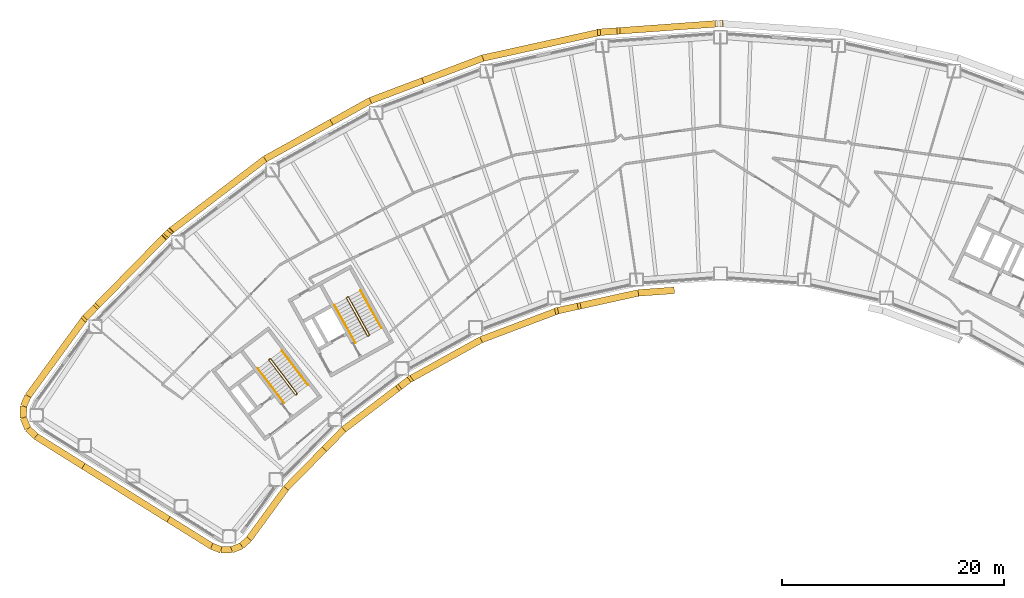
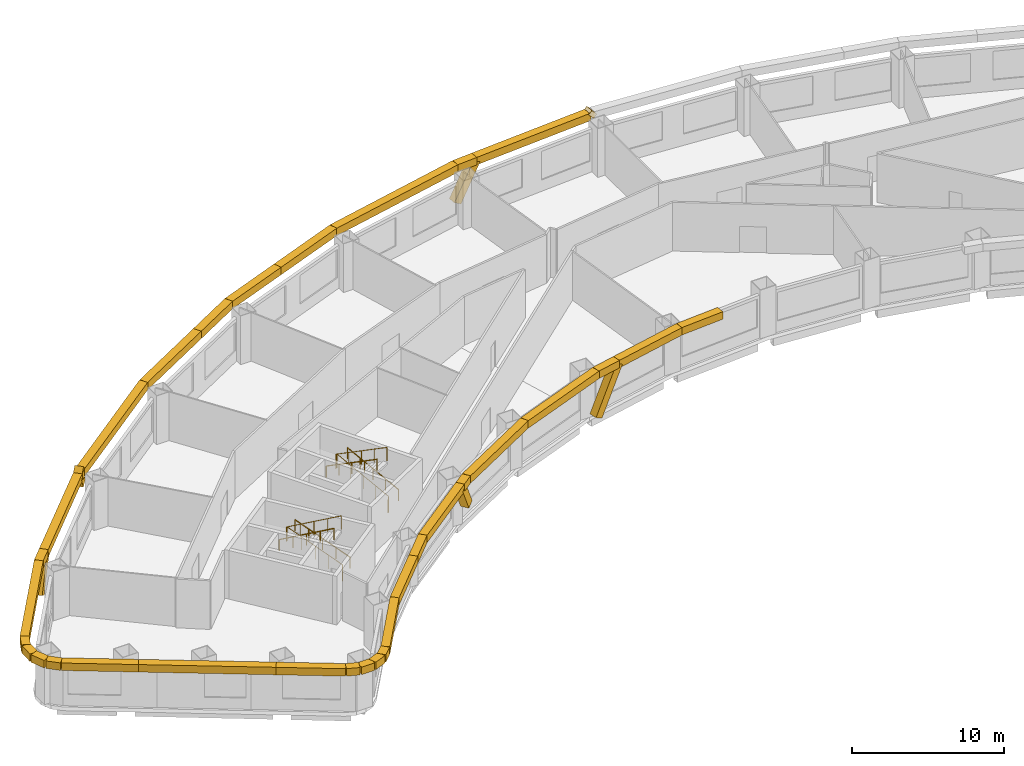
# One storey, part 9 of 10: 40 coverings, 6 railings.
"""IFC4 building model written with IfcOpenShell, lengths in metres."""

from ifc_helpers import new_model, si_unit, direction, frame, origin, origin_2d, place, context, subcontext, project, spatial, rectangle, circle, extrude, material, material_profile, profile_set, type_object, element, save


model = new_model("IFC4")

# Units and contexts
model_context = context("Model", 3, precision=1e-05, world=origin(), true_north=direction((0.0, 1.0)))
body_context = subcontext(model_context, "Body", "Model", "MODEL_VIEW")
ifc_project = project(units=[si_unit("LENGTHUNIT", "METRE"), si_unit("AREAUNIT", "SQUARE_METRE"), si_unit("VOLUMEUNIT", "CUBIC_METRE"), si_unit("PLANEANGLEUNIT", "RADIAN"), si_unit("MASSUNIT", "GRAM", prefix="KILO")], contexts=[model_context])

# Site, building, storey
site_placement = place(None, origin())
site = spatial("IfcSite", under=ifc_project, at=site_placement, CompositionType="ELEMENT")
building_placement = place(site_placement, origin())
building = spatial("IfcBuilding", under=site, at=building_placement, Name="Tuul Gate Civic Tower", CompositionType="ELEMENT")
storey_placement = place(building_placement, frame((0.0, 0.0, 86.39990234375)))
storey = spatial("IfcBuildingStorey", under=building, at=storey_placement, Name="Level 19", CompositionType="ELEMENT", Elevation=86.39990234375)

# Railings
ifc_material_1 = material(Name="Painted steel", Category="steel")
railing_type_1 = type_object("IfcRailingType", Name="Stair guard", PredefinedType="GUARDRAIL", material=ifc_material_1)
railing_1_placement = place(storey_placement, frame((-33.382080078125, -13.515380859375, 0.0)))
element("IfcRailing", 1, at=railing_1_placement, inside=storey, type_object=railing_type_1, Name="Level 19 ST-1 stair guard 1", PredefinedType="GUARDRAIL", context=body_context, shape_type="SweptSolid", body=[
    extrude(circle(Radius=0.02392578125, at=origin_2d()), frame((0.0, 0.0, 1.076171875), z_axis=(-0.795879841968, -0.605454603706, 0.0), x_axis=(0.605454603706, -0.795879841968, 0.0)), (0.0, 0.0, 1.0), 0.10009765625),
    extrude(circle(Radius=0.02392578125, at=origin_2d()), frame((-0.07958984375, -0.060546875, 1.076171875), z_axis=(0.408676696321, 0.599019267211, 0.688592241747), x_axis=(-0.826063974707, 0.563576356576, 0.0)), (0.0, 0.0, 1.0), 0.218017578125),
    extrude(circle(Radius=0.02392578125, at=origin_2d()), frame((0.009521484375, 0.070068359375, 1.22607421875), z_axis=(-0.541824460341, 0.711645023348, 0.447199748346), x_axis=(-0.795637165283, -0.60577347352, 0.0)), (0.0, 0.0, 1.0), 4.3603515625),
    extrude(circle(Radius=0.02392578125, at=origin_2d()), frame((-2.35302734375, 3.173095703125, 3.17626953125), z_axis=(-0.990893089246, 0.134650977284, 0.0), x_axis=(-0.134650977284, -0.990893089246, 0.0)), (0.0, 0.0, 1.0), 0.07080078125),
    extrude(circle(Radius=0.02392578125, at=origin_2d()), frame((-2.423095703125, 3.1826171875, 3.17626953125), z_axis=(-0.793802879778, -0.60817512943, 0.0), x_axis=(0.60817512943, -0.793802879778, 0.0)), (0.0, 0.0, 1.0), 0.099853515625),
    extrude(circle(Radius=0.02392578125, at=origin_2d()), frame((-2.50244140625, 3.121826171875, 3.17626953125), z_axis=(-0.057447065493, -0.422751481959, 0.904423031091), x_axis=(0.990893089246, -0.134650977284, 0.0)), (0.0, 0.0, 1.0), 0.165771484375),
    extrude(circle(Radius=0.02392578125, at=origin_2d()), frame((-2.511962890625, 3.0517578125, 3.326171875), z_axis=(0.541792925989, -0.711621155064, 0.447275929392), x_axis=(0.795644365679, 0.605764016233, 0.0)), (0.0, 0.0, 1.0), 4.360107421875),
    extrude(circle(Radius=0.02099609375, at=origin_2d()), origin(), (0.0, 0.0, 1.0), 1.052001953125),
    extrude(circle(Radius=0.02099609375, at=origin_2d()), frame((-0.07958984375, -0.060546875, 0.0)), (0.0, 0.0, 1.0), 1.052001953125),
    extrude(circle(Radius=0.02099609375, at=origin_2d()), frame((0.009521484375, 0.070068359375, 0.150146484375)), (0.0, 0.0, 1.0), 1.052001953125),
    extrude(circle(Radius=0.02099609375, at=origin_2d()), frame((-0.5810546875, 0.845703125, 0.6376953125)), (0.0, 0.0, 1.0), 1.052001953125),
    extrude(circle(Radius=0.02099609375, at=origin_2d()), frame((-1.171875, 1.62158203125, 1.125)), (0.0, 0.0, 1.0), 1.052001953125),
    extrude(circle(Radius=0.02099609375, at=origin_2d()), frame((-1.762451171875, 2.3974609375, 1.612548828125)), (0.0, 0.0, 1.0), 1.052001953125),
    extrude(circle(Radius=0.02099609375, at=origin_2d()), frame((-2.35302734375, 3.173095703125, 2.10009765625)), (0.0, 0.0, 1.0), 1.052001953125),
    extrude(circle(Radius=0.02099609375, at=origin_2d()), frame((-2.423095703125, 3.1826171875, 2.10009765625)), (0.0, 0.0, 1.0), 1.052001953125),
    extrude(circle(Radius=0.02099609375, at=origin_2d()), frame((-2.50244140625, 3.121826171875, 2.10009765625)), (0.0, 0.0, 1.0), 1.052001953125),
    extrude(circle(Radius=0.02099609375, at=origin_2d()), frame((-2.511962890625, 3.0517578125, 2.25)), (0.0, 0.0, 1.0), 1.052001953125),
    extrude(circle(Radius=0.02099609375, at=origin_2d()), frame((-1.92138671875, 2.276123046875, 2.737548828125)), (0.0, 0.0, 1.0), 1.052001953125),
    extrude(circle(Radius=0.02099609375, at=origin_2d()), frame((-1.330810546875, 1.50048828125, 3.22509765625)), (0.0, 0.0, 1.0), 1.052001953125),
    extrude(circle(Radius=0.02099609375, at=origin_2d()), frame((-0.740234375, 0.724609375, 3.712646484375)), (0.0, 0.0, 1.0), 1.052001953125),
    extrude(circle(Radius=0.02099609375, at=origin_2d()), frame((-0.149658203125, -0.051025390625, 4.2001953125)), (0.0, 0.0, 1.0), 1.052001953125),
])
railing_2_placement = place(storey_placement, frame((-26.857666015625, -8.247314453125, 0.0)))
element("IfcRailing", 2, at=railing_2_placement, inside=storey, type_object=railing_type_1, Name="Level 19 ST-2 stair guard 1", PredefinedType="GUARDRAIL", context=body_context, shape_type="SweptSolid", body=[
    extrude(circle(Radius=0.02392578125, at=origin_2d()), frame((0.0, 0.0, 1.076171875), z_axis=(-0.874616555828, -0.48481530532, 0.0), x_axis=(0.48481530532, -0.874616555828, 0.0)), (0.0, 0.0, 1.0), 0.10009765625),
    extrude(circle(Radius=0.02392578125, at=origin_2d()), frame((-0.087646484375, -0.048583984375, 1.076171875), z_axis=(0.490435707169, 0.534104639999, 0.688625479244), x_axis=(-0.736576986774, 0.676353711126, 0.0)), (0.0, 0.0, 1.0), 0.218017578125),
    extrude(circle(Radius=0.02392578125, at=origin_2d()), frame((0.019287109375, 0.06787109375, 1.22607421875), z_axis=(-0.43354991378, 0.782327185242, 0.447212083348), x_axis=(-0.874667644053, -0.484723129681, 0.0)), (0.0, 0.0, 1.0), 4.3603515625),
    extrude(circle(Radius=0.02392578125, at=origin_2d()), frame((-1.87109375, 3.47900390625, 3.17626953125), z_axis=(-0.961263487578, 0.275631107549, 0.0), x_axis=(-0.275631107549, -0.961263487578, 0.0)), (0.0, 0.0, 1.0), 0.07080078125),
    extrude(circle(Radius=0.02392578125, at=origin_2d()), frame((-1.939208984375, 3.49853515625, 3.17626953125), z_axis=(-0.874042088414, -0.485850211157, 0.0), x_axis=(0.485850211157, -0.874042088414, 0.0)), (0.0, 0.0, 1.0), 0.10009765625),
    extrude(circle(Radius=0.02392578125, at=origin_2d()), frame((-2.026611328125, 3.449951171875, 3.17626953125), z_axis=(-0.117866478395, -0.409586012422, 0.90462522168), x_axis=(0.961000426733, -0.276546885391, 0.0)), (0.0, 0.0, 1.0), 0.165771484375),
    extrude(circle(Radius=0.02392578125, at=origin_2d()), frame((-2.046142578125, 3.382080078125, 3.326171875), z_axis=(0.433584522764, -0.782288604346, 0.447246018574), x_axis=(0.874641102302, 0.484771020343, 0.0)), (0.0, 0.0, 1.0), 4.3603515625),
    extrude(circle(Radius=0.02099609375, at=origin_2d()), origin(), (0.0, 0.0, 1.0), 1.052001953125),
    extrude(circle(Radius=0.02099609375, at=origin_2d()), frame((-0.087646484375, -0.048583984375, 0.0)), (0.0, 0.0, 1.0), 1.052001953125),
    extrude(circle(Radius=0.02099609375, at=origin_2d()), frame((0.019287109375, 0.06787109375, 0.150146484375)), (0.0, 0.0, 1.0), 1.052001953125),
    extrude(circle(Radius=0.02099609375, at=origin_2d()), frame((-0.453369140625, 0.920654296875, 0.6376953125)), (0.0, 0.0, 1.0), 1.052001953125),
    extrude(circle(Radius=0.02099609375, at=origin_2d()), frame((-0.92578125, 1.7734375, 1.125)), (0.0, 0.0, 1.0), 1.052001953125),
    extrude(circle(Radius=0.02099609375, at=origin_2d()), frame((-1.3984375, 2.626220703125, 1.612548828125)), (0.0, 0.0, 1.0), 1.052001953125),
    extrude(circle(Radius=0.02099609375, at=origin_2d()), frame((-1.87109375, 3.47900390625, 2.10009765625)), (0.0, 0.0, 1.0), 1.052001953125),
    extrude(circle(Radius=0.02099609375, at=origin_2d()), frame((-1.939208984375, 3.49853515625, 2.10009765625)), (0.0, 0.0, 1.0), 1.052001953125),
    extrude(circle(Radius=0.02099609375, at=origin_2d()), frame((-2.026611328125, 3.449951171875, 2.10009765625)), (0.0, 0.0, 1.0), 1.052001953125),
    extrude(circle(Radius=0.02099609375, at=origin_2d()), frame((-2.046142578125, 3.382080078125, 2.25)), (0.0, 0.0, 1.0), 1.052001953125),
    extrude(circle(Radius=0.02099609375, at=origin_2d()), frame((-1.573486328125, 2.529296875, 2.737548828125)), (0.0, 0.0, 1.0), 1.052001953125),
    extrude(circle(Radius=0.02099609375, at=origin_2d()), frame((-1.100830078125, 1.676513671875, 3.22509765625)), (0.0, 0.0, 1.0), 1.052001953125),
    extrude(circle(Radius=0.02099609375, at=origin_2d()), frame((-0.628173828125, 0.82373046875, 3.712646484375)), (0.0, 0.0, 1.0), 1.052001953125),
    extrude(circle(Radius=0.02099609375, at=origin_2d()), frame((-0.155517578125, -0.029052734375, 4.2001953125)), (0.0, 0.0, 1.0), 1.052001953125),
])
ifc_material_2 = material(Name="Painted steel", Category="steel")
railing_type_2 = type_object("IfcRailingType", Name="Stair handrail", PredefinedType="HANDRAIL", material=ifc_material_2)
railing_3_placement = place(storey_placement, frame((-32.3779296875, -12.688232421875, 0.150146484375)))
element("IfcRailing", 3, at=railing_3_placement, inside=storey, type_object=railing_type_2, Name="Level 19 ST-1 stair handrail 1", PredefinedType="HANDRAIL", context=body_context, shape_type="SweptSolid", body=[
    extrude(circle(Radius=0.02392578125, at=origin_2d()), frame((0.0, 0.0, 0.8759765625), z_axis=(-0.541824460341, 0.711645023348, 0.447199748346), x_axis=(-0.795637165283, -0.60577347352, 0.0)), (0.0, 0.0, 1.0), 4.3603515625),
    extrude(circle(Radius=0.02099609375, at=origin_2d()), origin(), (0.0, 0.0, 1.0), 0.851806640625),
    extrude(circle(Radius=0.02099609375, at=origin_2d()), frame((-0.590576171875, 0.77587890625, 0.487548828125)), (0.0, 0.0, 1.0), 0.851806640625),
    extrude(circle(Radius=0.02099609375, at=origin_2d()), frame((-1.18115234375, 1.551513671875, 0.97509765625)), (0.0, 0.0, 1.0), 0.851806640625),
    extrude(circle(Radius=0.02099609375, at=origin_2d()), frame((-1.77197265625, 2.3271484375, 1.46240234375)), (0.0, 0.0, 1.0), 0.851806640625),
    extrude(circle(Radius=0.02099609375, at=origin_2d()), frame((-2.362548828125, 3.10302734375, 1.949951171875)), (0.0, 0.0, 1.0), 0.851806640625),
])
railing_4_placement = place(storey_placement, frame((-36.888671875, -11.220703125, 2.25)))
element("IfcRailing", 4, at=railing_4_placement, inside=storey, type_object=railing_type_2, Name="Level 19 ST-1 stair handrail 2", PredefinedType="HANDRAIL", context=body_context, shape_type="SweptSolid", body=[
    extrude(circle(Radius=0.02392578125, at=origin_2d()), frame((0.0, 0.0, 0.8759765625), z_axis=(0.541810893183, -0.711627203922, 0.44724454012), x_axis=(0.795637165283, 0.60577347352, 0.0)), (0.0, 0.0, 1.0), 4.3603515625),
    extrude(circle(Radius=0.02099609375, at=origin_2d()), origin(), (0.0, 0.0, 1.0), 0.851806640625),
    extrude(circle(Radius=0.02099609375, at=origin_2d()), frame((0.590576171875, -0.77587890625, 0.487548828125)), (0.0, 0.0, 1.0), 0.851806640625),
    extrude(circle(Radius=0.02099609375, at=origin_2d()), frame((1.18115234375, -1.551513671875, 0.97509765625)), (0.0, 0.0, 1.0), 0.851806640625),
    extrude(circle(Radius=0.02099609375, at=origin_2d()), frame((1.77197265625, -2.3271484375, 1.462646484375)), (0.0, 0.0, 1.0), 0.851806640625),
    extrude(circle(Radius=0.02099609375, at=origin_2d()), frame((2.362548828125, -3.10302734375, 1.9501953125)), (0.0, 0.0, 1.0), 0.851806640625),
])
railing_5_placement = place(storey_placement, frame((-25.744873046875, -7.573486328125, 0.150146484375)))
element("IfcRailing", 5, at=railing_5_placement, inside=storey, type_object=railing_type_2, Name="Level 19 ST-2 stair handrail 1", PredefinedType="HANDRAIL", context=body_context, shape_type="SweptSolid", body=[
    extrude(circle(Radius=0.02392578125, at=origin_2d()), frame((0.0, 0.0, 0.8759765625), z_axis=(-0.433595379963, 0.782308193291, 0.447201226726), x_axis=(-0.874641102302, -0.484771020343, 0.0)), (0.0, 0.0, 1.0), 4.3603515625),
    extrude(circle(Radius=0.02099609375, at=origin_2d()), origin(), (0.0, 0.0, 1.0), 0.851806640625),
    extrude(circle(Radius=0.02099609375, at=origin_2d()), frame((-0.47265625, 0.852783203125, 0.487548828125)), (0.0, 0.0, 1.0), 0.851806640625),
    extrude(circle(Radius=0.02099609375, at=origin_2d()), frame((-0.9453125, 1.70556640625, 0.97509765625)), (0.0, 0.0, 1.0), 0.851806640625),
    extrude(circle(Radius=0.02099609375, at=origin_2d()), frame((-1.41796875, 2.558349609375, 1.46240234375)), (0.0, 0.0, 1.0), 0.851806640625),
    extrude(circle(Radius=0.02099609375, at=origin_2d()), frame((-1.890625, 3.4111328125, 1.949951171875)), (0.0, 0.0, 1.0), 0.851806640625),
])
railing_6_placement = place(storey_placement, frame((-29.9970703125, -5.47119140625, 2.25)))
element("IfcRailing", 6, at=railing_6_placement, inside=storey, type_object=railing_type_2, Name="Level 19 ST-2 stair handrail 2", PredefinedType="HANDRAIL", context=body_context, shape_type="SweptSolid", body=[
    extrude(circle(Radius=0.02392578125, at=origin_2d()), frame((0.0, 0.0, 0.8759765625), z_axis=(0.433584522764, -0.782288604346, 0.447246018574), x_axis=(0.874641102302, 0.484771020343, 0.0)), (0.0, 0.0, 1.0), 4.3603515625),
    extrude(circle(Radius=0.02099609375, at=origin_2d()), origin(), (0.0, 0.0, 1.0), 0.851806640625),
    extrude(circle(Radius=0.02099609375, at=origin_2d()), frame((0.47265625, -0.852783203125, 0.487548828125)), (0.0, 0.0, 1.0), 0.851806640625),
    extrude(circle(Radius=0.02099609375, at=origin_2d()), frame((0.9453125, -1.70556640625, 0.97509765625)), (0.0, 0.0, 1.0), 0.851806640625),
    extrude(circle(Radius=0.02099609375, at=origin_2d()), frame((1.41796875, -2.558349609375, 1.462646484375)), (0.0, 0.0, 1.0), 0.851806640625),
    extrude(circle(Radius=0.02099609375, at=origin_2d()), frame((1.890625, -3.4111328125, 1.9501953125)), (0.0, 0.0, 1.0), 0.851806640625),
])

# Coverings
ifc_material_3 = material(Name="Terracotta baguette", Category="masonry")
ifc_material_profile = material_profile(ifc_material_3, rectangle(XDim=0.60009765625, YDim=0.60009765625, at=origin_2d()), Name="Terracotta baguette screen frame")
ifc_profile_set = profile_set([ifc_material_profile], Name="Terracotta baguette")
covering_type = type_object("IfcCoveringType", Name="Terracotta baguette screen frame", PredefinedType="CLADDING", material=ifc_profile_set)
covering_1_placement = place(storey_placement, frame((4.80810546875, 19.909912109375, 4.098876953125), z_axis=(-0.731966492967, -0.052664255869, -0.679302237098), x_axis=(0.071763490411, -0.997421676847, 0.0)))
element("IfcCovering", 7, at=covering_1_placement, inside=storey, type_object=covering_type, Name="Baguette 72", PredefinedType="CLADDING", context=body_context, shape_type="SweptSolid", body=[
    extrude(rectangle(XDim=0.60009765625, YDim=0.60009765625, at=origin_2d()), origin(), (0.0, 0.0, 1.0), 0.3662109375),
])
covering_2_placement = place(storey_placement, frame((4.5400390625, 19.890625, 3.85009765625), z_axis=(-0.997386201486, -0.072254862018, 0.0), x_axis=(0.072254862018, -0.997386201486, 0.0)))
element("IfcCovering", 8, at=covering_2_placement, inside=storey, type_object=covering_type, Name="Baguette 78", PredefinedType="CLADDING", context=body_context, shape_type="SweptSolid", body=[
    extrude(rectangle(XDim=0.60009765625, YDim=0.60009765625, at=origin_2d()), origin(), (0.0, 0.0, 1.0), 9.072265625),
])
covering_3_placement = place(storey_placement, frame((-4.508544921875, 19.235107421875, 3.85009765625), z_axis=(-0.473945050115, -0.034270345712, -0.879887284188), x_axis=(0.072120393401, -0.997395933848, 0.0)))
element("IfcCovering", 9, at=covering_3_placement, inside=storey, type_object=covering_type, Name="Baguette 83", PredefinedType="CLADDING", context=body_context, shape_type="SweptSolid", body=[
    extrude(rectangle(XDim=0.60009765625, YDim=0.60009765625, at=origin_2d()), origin(), (0.0, 0.0, 1.0), 3.17724609375),
])
covering_4_placement = place(storey_placement, frame((-22.021240234375, 14.744873046875, 3.85009765625), z_axis=(-0.935347444676, -0.353730346081, 0.0), x_axis=(0.353730346081, -0.935347444676, 0.0)))
element("IfcCovering", 10, at=covering_4_placement, inside=storey, type_object=covering_type, Name="Baguette 99", PredefinedType="CLADDING", context=body_context, shape_type="SweptSolid", body=[
    extrude(rectangle(XDim=0.60009765625, YDim=0.60009765625, at=origin_2d()), origin(), (0.0, 0.0, 1.0), 5.0673828125),
])
covering_5_placement = place(storey_placement, frame((-26.760986328125, 12.952392578125, 3.85009765625), z_axis=(-0.874625555633, -0.484799069135, 0.0), x_axis=(0.484799069135, -0.874625555633, 0.0)))
element("IfcCovering", 11, at=covering_5_placement, inside=storey, type_object=covering_type, Name="Baguette 100", PredefinedType="CLADDING", context=body_context, shape_type="SweptSolid", body=[
    extrude(rectangle(XDim=0.60009765625, YDim=0.60009765625, at=origin_2d()), origin(), (0.0, 0.0, 1.0), 4.005126953125),
])
covering_6_placement = place(storey_placement, frame((-44.885498046875, 1.117919921875, 4.263916015625), z_axis=(-0.513729128194, -0.524147971668, -0.679228449523), x_axis=(0.714169166593, -0.699973143404, 0.0)))
element("IfcCovering", 12, at=covering_6_placement, inside=storey, type_object=covering_type, Name="Baguette 114", PredefinedType="CLADDING", context=body_context, shape_type="SweptSolid", body=[
    extrude(rectangle(XDim=0.60009765625, YDim=0.60009765625, at=origin_2d()), origin(), (0.0, 0.0, 1.0), 0.609130859375),
])
covering_7_placement = place(storey_placement, frame((-45.198486328125, 0.798583984375, 3.85009765625), z_axis=(0.332717894742, 0.339465683559, -0.879807849592), x_axis=(-0.714169166593, 0.699973143404, 0.0)))
element("IfcCovering", 13, at=covering_7_placement, inside=storey, type_object=covering_type, Name="Baguette 118", PredefinedType="CLADDING", context=body_context, shape_type="SweptSolid", body=[
    extrude(rectangle(XDim=0.60009765625, YDim=0.60009765625, at=origin_2d()), origin(), (0.0, 0.0, 1.0), 0.940673828125),
])
covering_8_placement = place(storey_placement, frame((-45.198486328125, 0.798583984375, 3.85009765625), z_axis=(-0.700048272114, -0.714095523519, 0.0), x_axis=(0.714095523519, -0.700048272114, 0.0)))
element("IfcCovering", 14, at=covering_8_placement, inside=storey, type_object=covering_type, Name="Baguette 120", PredefinedType="CLADDING", context=body_context, shape_type="SweptSolid", body=[
    extrude(rectangle(XDim=0.60009765625, YDim=0.60009765625, at=origin_2d()), origin(), (0.0, 0.0, 1.0), 9.072265625),
])
covering_9_placement = place(storey_placement, frame((-51.549560546875, -5.679931640625, 3.85009765625), z_axis=(-0.332644596819, -0.339353248982, -0.879878937475), x_axis=(0.714130345586, -0.700012749537, 0.0)))
element("IfcCovering", 15, at=covering_9_placement, inside=storey, type_object=covering_type, Name="Baguette 125", PredefinedType="CLADDING", context=body_context, shape_type="SweptSolid", body=[
    extrude(rectangle(XDim=0.60009765625, YDim=0.60009765625, at=origin_2d()), origin(), (0.0, 0.0, 1.0), 2.80224609375),
])
covering_10_placement = place(storey_placement, frame((-52.63720703125, -20.0029296875, 3.85009765625), z_axis=(0.848043753002, -0.529926214669, 0.0), x_axis=(0.529926214669, 0.848043753002, 0.0)))
element("IfcCovering", 16, at=covering_10_placement, inside=storey, type_object=covering_type, Name="Baguette 152", PredefinedType="CLADDING", context=body_context, shape_type="SweptSolid", body=[
    extrude(rectangle(XDim=0.60009765625, YDim=0.60009765625, at=origin_2d()), origin(), (0.0, 0.0, 1.0), 9.052978515625),
])
covering_11_placement = place(storey_placement, frame((-30.899658203125, -18.470703125, 3.85009765625), z_axis=(0.700087148809, 0.714057409507, 0.0), x_axis=(-0.714057409507, 0.700087148809, 0.0)))
element("IfcCovering", 17, at=covering_11_placement, inside=storey, type_object=covering_type, Name="Baguette 184", PredefinedType="CLADDING", context=body_context, shape_type="SweptSolid", body=[
    extrude(rectangle(XDim=0.60009765625, YDim=0.60009765625, at=origin_2d()), origin(), (0.0, 0.0, 1.0), 2.4814453125),
])
covering_12_placement = place(storey_placement, frame((-29.162353515625, -16.69873046875, 3.85009765625), z_axis=(0.795586533253, 0.605839969057, 0.0), x_axis=(-0.605839969057, 0.795586533253, 0.0)))
element("IfcCovering", 18, at=covering_12_placement, inside=storey, type_object=covering_type, Name="Baguette 185", PredefinedType="CLADDING", context=body_context, shape_type="SweptSolid", body=[
    extrude(rectangle(XDim=0.60009765625, YDim=0.60009765625, at=origin_2d()), origin(), (0.0, 0.0, 1.0), 6.370361328125),
])
covering_13_placement = place(storey_placement, frame((-24.09423828125, -12.83935546875, 3.85009765625), z_axis=(0.370809590506, 0.282480203725, -0.884706268822), x_axis=(-0.605987035724, 0.795474520356, 0.0)))
element("IfcCovering", 19, at=covering_13_placement, inside=storey, type_object=covering_type, Name="Baguette 190", PredefinedType="CLADDING", context=body_context, shape_type="SweptSolid", body=[
    extrude(rectangle(XDim=0.60009765625, YDim=0.60009765625, at=origin_2d()), origin(), (0.0, 0.0, 1.0), 2.2470703125),
])
covering_14_placement = place(storey_placement, frame((-8.056884765625, -5.593017578125, 3.85009765625), z_axis=(-0.45518264051, -0.100276466883, -0.884733515793), x_axis=(0.215140673353, -0.976583069006, 0.0)))
element("IfcCovering", 20, at=covering_14_placement, inside=storey, type_object=covering_type, Name="Baguette 208", PredefinedType="CLADDING", context=body_context, shape_type="SweptSolid", body=[
    extrude(rectangle(XDim=0.60009765625, YDim=0.60009765625, at=origin_2d()), origin(), (0.0, 0.0, 1.0), 3.9052734375),
])
covering_15_placement = place(storey_placement, frame((-8.056884765625, -5.593017578125, 3.85009765625), z_axis=(0.976560188543, 0.215244507836, 0.0), x_axis=(-0.215244507836, 0.976560188543, 0.0)))
element("IfcCovering", 21, at=covering_15_placement, inside=storey, type_object=covering_type, Name="Baguette 210", PredefinedType="CLADDING", context=body_context, shape_type="SweptSolid", body=[
    extrude(rectangle(XDim=0.60009765625, YDim=0.60009765625, at=origin_2d()), origin(), (0.0, 0.0, 1.0), 5.597412109375),
])
covering_16_placement = place(storey_placement, frame((-2.590576171875, -4.38818359375, 3.85009765625), z_axis=(0.997381973981, 0.072313193661, 0.0), x_axis=(-0.072313193661, 0.997381973981, 0.0)))
element("IfcCovering", 22, at=covering_16_placement, inside=storey, type_object=covering_type, Name="Baguette 211", PredefinedType="CLADDING", context=body_context, shape_type="SweptSolid", body=[
    extrude(rectangle(XDim=0.60009765625, YDim=0.60009765625, at=origin_2d()), origin(), (0.0, 0.0, 1.0), 3.254638671875),
])
covering_17_placement = place(storey_placement, frame((-4.508544921875, 19.235107421875, 3.85009765625), z_axis=(-0.997395933848, -0.072120393401, 0.0), x_axis=(0.072120393401, -0.997395933848, 0.0)))
element("IfcCovering", 23, at=covering_17_placement, inside=storey, type_object=covering_type, Name="Baguette 302", PredefinedType="CLADDING", context=body_context, shape_type="SweptSolid", body=[
    extrude(rectangle(XDim=0.60009765625, YDim=0.60009765625, at=origin_2d()), origin(), (0.0, 0.0, 1.0), 1.509765625),
])
covering_18_placement = place(storey_placement, frame((-6.014404296875, 19.126220703125, 3.85009765625), z_axis=(-0.976565652409, -0.215219716881, 0.0), x_axis=(0.215219716881, -0.976565652409, 0.0)))
element("IfcCovering", 24, at=covering_18_placement, inside=storey, type_object=covering_type, Name="Baguette 303", PredefinedType="CLADDING", context=body_context, shape_type="SweptSolid", body=[
    extrude(rectangle(XDim=0.60009765625, YDim=0.60009765625, at=origin_2d()), origin(), (0.0, 0.0, 1.0), 10.8515625),
])
covering_19_placement = place(storey_placement, frame((-16.611572265625, 16.790771484375, 3.85009765625), z_axis=(-0.935343643308, -0.353740397641, 0.0), x_axis=(0.353740397641, -0.935343643308, 0.0)))
element("IfcCovering", 25, at=covering_19_placement, inside=storey, type_object=covering_type, Name="Baguette 304", PredefinedType="CLADDING", context=body_context, shape_type="SweptSolid", body=[
    extrude(rectangle(XDim=0.60009765625, YDim=0.60009765625, at=origin_2d()), origin(), (0.0, 0.0, 1.0), 5.78369140625),
])
covering_20_placement = place(storey_placement, frame((-30.263916015625, 11.0107421875, 3.85009765625), z_axis=(-0.874636224085, -0.484779821691, 0.0), x_axis=(0.484779821691, -0.874636224085, 0.0)))
element("IfcCovering", 26, at=covering_20_placement, inside=storey, type_object=covering_type, Name="Baguette 308", PredefinedType="CLADDING", context=body_context, shape_type="SweptSolid", body=[
    extrude(rectangle(XDim=0.60009765625, YDim=0.60009765625, at=origin_2d()), origin(), (0.0, 0.0, 1.0), 6.8466796875),
])
covering_21_placement = place(storey_placement, frame((-36.252197265625, 7.691650390625, 3.85009765625), z_axis=(-0.79561038643, -0.605808643884, 0.0), x_axis=(0.605808643884, -0.79561038643, 0.0)))
element("IfcCovering", 27, at=covering_21_placement, inside=storey, type_object=covering_type, Name="Baguette 309", PredefinedType="CLADDING", context=body_context, shape_type="SweptSolid", body=[
    extrude(rectangle(XDim=0.60009765625, YDim=0.60009765625, at=origin_2d()), origin(), (0.0, 0.0, 1.0), 10.85107421875),
])
covering_22_placement = place(storey_placement, frame((-44.885498046875, 1.117919921875, 3.85009765625), z_axis=(-0.699973143404, -0.714169166593, 0.0), x_axis=(0.714169166593, -0.699973143404, 0.0)))
element("IfcCovering", 28, at=covering_22_placement, inside=storey, type_object=covering_type, Name="Baguette 310", PredefinedType="CLADDING", context=body_context, shape_type="SweptSolid", body=[
    extrude(rectangle(XDim=0.60009765625, YDim=0.60009765625, at=origin_2d()), origin(), (0.0, 0.0, 1.0), 0.447021484375),
])
covering_23_placement = place(storey_placement, frame((-51.549560546875, -5.679931640625, 3.85009765625), z_axis=(-0.700012749537, -0.714130345586, 0.0), x_axis=(0.714130345586, -0.700012749537, 0.0)))
element("IfcCovering", 29, at=covering_23_placement, inside=storey, type_object=covering_type, Name="Baguette 311", PredefinedType="CLADDING", context=body_context, shape_type="SweptSolid", body=[
    extrude(rectangle(XDim=0.60009765625, YDim=0.60009765625, at=origin_2d()), origin(), (0.0, 0.0, 1.0), 1.33154296875),
])
covering_24_placement = place(storey_placement, frame((-52.481689453125, -6.630859375, 3.85009765625), z_axis=(-0.589750974936, -0.807585158087, 0.0), x_axis=(0.807585158087, -0.589750974936, 0.0)))
element("IfcCovering", 30, at=covering_24_placement, inside=storey, type_object=covering_type, Name="Baguette 312", PredefinedType="CLADDING", context=body_context, shape_type="SweptSolid", body=[
    extrude(rectangle(XDim=0.60009765625, YDim=0.60009765625, at=origin_2d()), origin(), (0.0, 0.0, 1.0), 8.7353515625),
])
covering_25_placement = place(storey_placement, frame((-57.63330078125, -13.685302734375, 3.85009765625), z_axis=(-0.412348754484, -0.911026072445, 0.0), x_axis=(0.911026072445, -0.412348754484, 0.0)))
element("IfcCovering", 31, at=covering_25_placement, inside=storey, type_object=covering_type, Name="Baguette 313", PredefinedType="CLADDING", context=body_context, shape_type="SweptSolid", body=[
    extrude(rectangle(XDim=0.60009765625, YDim=0.60009765625, at=origin_2d()), origin(), (0.0, 0.0, 1.0), 0.987060546875),
])
for number, where, z_axis, x_axis, name in (
    (32, (-58.040283203125, -14.58447265625, 3.85009765625), (-0.016005267214, -0.999871907507, 0.0), (0.999871907507, -0.016005267214, 0.0), "Baguette 314"),
    (33, (-58.057373046875, -15.652099609375, 3.85009765625), (0.386870941786, -0.922133870109, 0.0), (0.922133870109, 0.386870941786, 0.0), "Baguette 315"),
):
    element("IfcCovering", number, at=place(storey_placement, frame(where, z_axis=z_axis, x_axis=x_axis)), inside=storey, type_object=covering_type, Name=name, PredefinedType="CLADDING", context=body_context, shape_type="SweptSolid", body=[
        extrude(rectangle(XDim=0.60009765625, YDim=0.60009765625, at=origin_2d()), origin(), (0.0, 0.0, 1.0), 1.06787109375),
    ])
covering_26_placement = place(storey_placement, frame((-57.644287109375, -16.63671875, 3.85009765625), z_axis=(0.72214250975, -0.691744313755, 0.0), x_axis=(0.691744313755, 0.72214250975, 0.0)))
element("IfcCovering", 34, at=covering_26_placement, inside=storey, type_object=covering_type, Name="Baguette 316", PredefinedType="CLADDING", context=body_context, shape_type="SweptSolid", body=[
    extrude(rectangle(XDim=0.60009765625, YDim=0.60009765625, at=origin_2d()), origin(), (0.0, 0.0, 1.0), 0.98779296875),
])
covering_27_placement = place(storey_placement, frame((-56.930908203125, -17.320068359375, 3.85009765625), z_axis=(0.848060606023, -0.529899243736, 0.0), x_axis=(0.529899243736, 0.848060606023, 0.0)))
element("IfcCovering", 35, at=covering_27_placement, inside=storey, type_object=covering_type, Name="Baguette 317", PredefinedType="CLADDING", context=body_context, shape_type="SweptSolid", body=[
    extrude(rectangle(XDim=0.60009765625, YDim=0.60009765625, at=origin_2d()), origin(), (0.0, 0.0, 1.0), 5.06298828125),
])
covering_28_placement = place(storey_placement, frame((-44.9599609375, -24.80029296875, 3.85009765625), z_axis=(0.848064178611, -0.529893526057, 0.0), x_axis=(0.529893526057, 0.848064178611, 0.0)))
element("IfcCovering", 36, at=covering_28_placement, inside=storey, type_object=covering_type, Name="Baguette 326", PredefinedType="CLADDING", context=body_context, shape_type="SweptSolid", body=[
    extrude(rectangle(XDim=0.60009765625, YDim=0.60009765625, at=origin_2d()), origin(), (0.0, 0.0, 1.0), 4.580078125),
])
covering_29_placement = place(storey_placement, frame((-41.07568359375, -27.227294921875, 3.85009765625), z_axis=(0.931801188997, -0.362969067807, 0.0), x_axis=(0.362969067807, 0.931801188997, 0.0)))
element("IfcCovering", 37, at=covering_29_placement, inside=storey, type_object=covering_type, Name="Baguette 327", PredefinedType="CLADDING", context=body_context, shape_type="SweptSolid", body=[
    extrude(rectangle(XDim=0.60009765625, YDim=0.60009765625, at=origin_2d()), origin(), (0.0, 0.0, 1.0), 0.9013671875),
])
covering_30_placement = place(storey_placement, frame((-40.23583984375, -27.554443359375, 3.85009765625), z_axis=(0.999995475178, 0.003008259138, 0.0), x_axis=(-0.003008259138, 0.999995475178, 0.0)))
element("IfcCovering", 38, at=covering_30_placement, inside=storey, type_object=covering_type, Name="Baguette 328", PredefinedType="CLADDING", context=body_context, shape_type="SweptSolid", body=[
    extrude(rectangle(XDim=0.60009765625, YDim=0.60009765625, at=origin_2d()), origin(), (0.0, 0.0, 1.0), 0.973876953125),
])
covering_31_placement = place(storey_placement, frame((-39.261962890625, -27.551513671875, 3.85009765625), z_axis=(0.929012088732, 0.370049373719, 0.0), x_axis=(-0.370049373719, 0.929012088732, 0.0)))
element("IfcCovering", 39, at=covering_31_placement, inside=storey, type_object=covering_type, Name="Baguette 329", PredefinedType="CLADDING", context=body_context, shape_type="SweptSolid", body=[
    extrude(rectangle(XDim=0.60009765625, YDim=0.60009765625, at=origin_2d()), origin(), (0.0, 0.0, 1.0), 0.97314453125),
])
covering_32_placement = place(storey_placement, frame((-38.35791015625, -27.19140625, 3.85009765625), z_axis=(0.729883388516, 0.68357167815, 0.0), x_axis=(-0.68357167815, 0.729883388516, 0.0)))
element("IfcCovering", 40, at=covering_32_placement, inside=storey, type_object=covering_type, Name="Baguette 330", PredefinedType="CLADDING", context=body_context, shape_type="SweptSolid", body=[
    extrude(rectangle(XDim=0.60009765625, YDim=0.60009765625, at=origin_2d()), origin(), (0.0, 0.0, 1.0), 0.9013671875),
])
covering_33_placement = place(storey_placement, frame((-37.699951171875, -26.5751953125, 3.85009765625), z_axis=(0.589729447422, 0.807600878432, 0.0), x_axis=(-0.807600878432, 0.589729447422, 0.0)))
element("IfcCovering", 41, at=covering_33_placement, inside=storey, type_object=covering_type, Name="Baguette 331", PredefinedType="CLADDING", context=body_context, shape_type="SweptSolid", body=[
    extrude(rectangle(XDim=0.60009765625, YDim=0.60009765625, at=origin_2d()), origin(), (0.0, 0.0, 1.0), 5.671142578125),
])
covering_34_placement = place(storey_placement, frame((-34.35546875, -21.9951171875, 3.85009765625), z_axis=(0.700123333158, 0.714021931294, 0.0), x_axis=(-0.714021931294, 0.700123333158, 0.0)))
element("IfcCovering", 42, at=covering_34_placement, inside=storey, type_object=covering_type, Name="Baguette 332", PredefinedType="CLADDING", context=body_context, shape_type="SweptSolid", body=[
    extrude(rectangle(XDim=0.60009765625, YDim=0.60009765625, at=origin_2d()), origin(), (0.0, 0.0, 1.0), 4.93603515625),
])
covering_35_placement = place(storey_placement, frame((-24.09423828125, -12.83935546875, 3.85009765625), z_axis=(0.795474520356, 0.605987035724, 0.0), x_axis=(-0.605987035724, 0.795474520356, 0.0)))
element("IfcCovering", 43, at=covering_35_placement, inside=storey, type_object=covering_type, Name="Baguette 340", PredefinedType="CLADDING", context=body_context, shape_type="SweptSolid", body=[
    extrude(rectangle(XDim=0.60009765625, YDim=0.60009765625, at=origin_2d()), origin(), (0.0, 0.0, 1.0), 1.047607421875),
])
for number, where, z_axis, x_axis, name in (
    (44, (-23.260986328125, -12.20458984375, 3.85009765625), (0.874630355477, 0.48479040964, 0.0), (-0.48479040964, 0.874630355477, 0.0), "Baguette 341"),
    (45, (-16.77294921875, -8.6083984375, 3.85009765625), (0.935357193845, 0.353704565878, 0.0), (-0.353704565878, 0.935357193845, 0.0), "Baguette 342"),
):
    element("IfcCovering", number, at=place(storey_placement, frame(where, z_axis=z_axis, x_axis=x_axis)), inside=storey, type_object=covering_type, Name=name, PredefinedType="CLADDING", context=body_context, shape_type="SweptSolid", body=[
        extrude(rectangle(XDim=0.60009765625, YDim=0.60009765625, at=origin_2d()), origin(), (0.0, 0.0, 1.0), 7.41796875),
    ])
covering_36_placement = place(storey_placement, frame((-9.83447265625, -5.984619140625, 3.85009765625), z_axis=(0.976583069006, 0.215140673353, 0.0), x_axis=(-0.215140673353, 0.976583069006, 0.0)))
element("IfcCovering", 46, at=covering_36_placement, inside=storey, type_object=covering_type, Name="Baguette 343", PredefinedType="CLADDING", context=body_context, shape_type="SweptSolid", body=[
    extrude(rectangle(XDim=0.60009765625, YDim=0.60009765625, at=origin_2d()), origin(), (0.0, 0.0, 1.0), 1.8203125),
])

save(model, "model.ifc")
